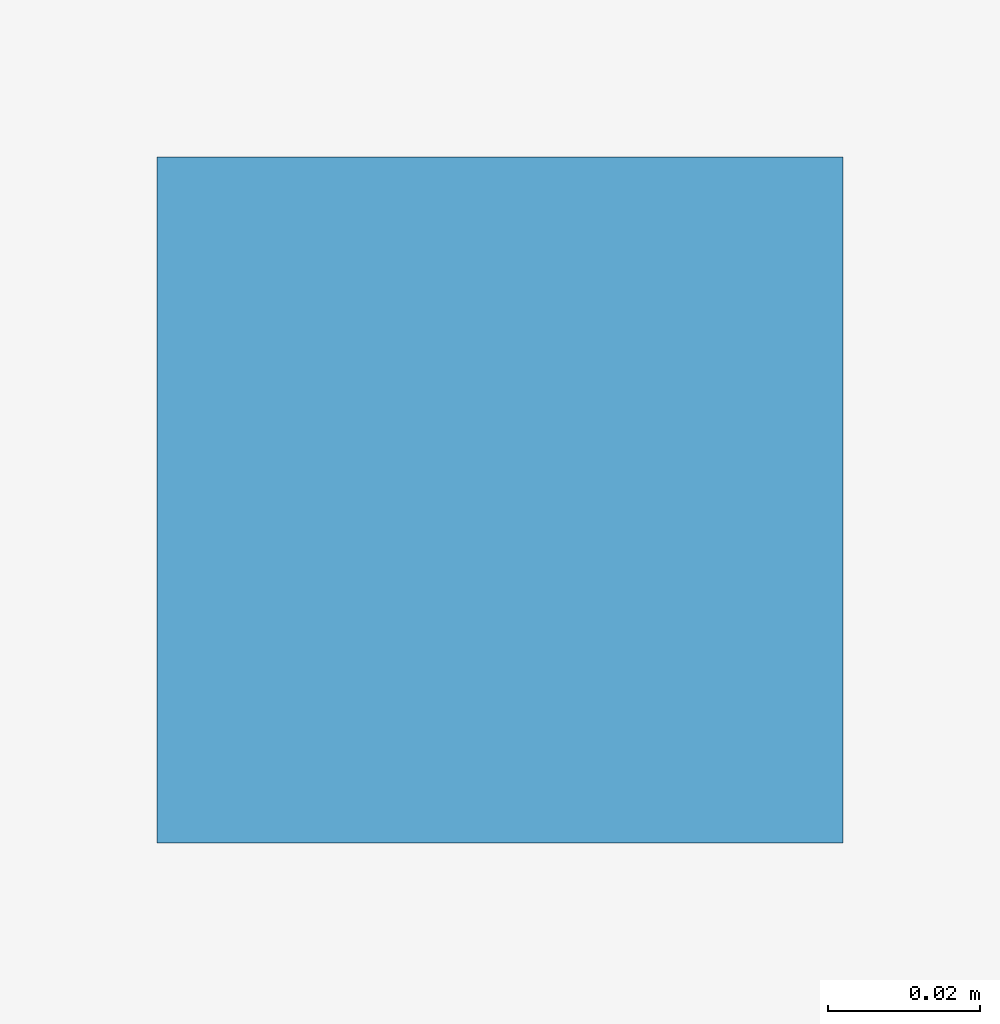
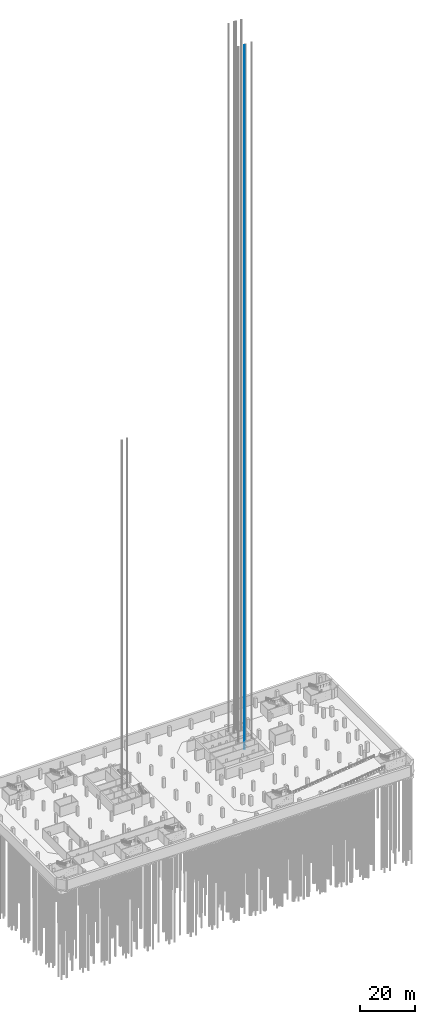
# One storey, part 9 of 30: 1 member.
"""IFC4 building model written with IfcOpenShell, lengths in metres."""

from ifc_helpers import new_model, si_unit, direction, frame, origin, origin_2d, place, context, subcontext, project, spatial, rectangle, extrude, material, material_profile, profile_set, type_object, element, save


model = new_model("IFC4")

# Units and contexts
model_context = context("Model", 3, precision=1e-05, world=origin(), true_north=direction((0.0, 1.0)))
body_context = subcontext(model_context, "Body", "Model", "MODEL_VIEW")
ifc_project = project(units=[si_unit("LENGTHUNIT", "METRE"), si_unit("AREAUNIT", "SQUARE_METRE"), si_unit("VOLUMEUNIT", "CUBIC_METRE"), si_unit("PLANEANGLEUNIT", "RADIAN"), si_unit("MASSUNIT", "GRAM", prefix="KILO")], contexts=[model_context])

# Site, building, storey
site_placement = place(None, origin())
site = spatial("IfcSite", under=ifc_project, at=site_placement, CompositionType="ELEMENT")
building_placement = place(site_placement, origin())
building = spatial("IfcBuilding", under=site, at=building_placement, Name="Cinnabar Reach Civic Tower", CompositionType="ELEMENT")
storey_placement = place(building_placement, frame((0.0, 0.0, -14.0)))
storey = spatial("IfcBuildingStorey", under=building, at=storey_placement, Name="B3", CompositionType="ELEMENT", Elevation=-14.0)

# Member
ifc_material = material(Name="Steel Q355B", Category="steel")
ifc_material_profile = material_profile(ifc_material, rectangle(XDim=0.09, YDim=0.09, at=origin_2d()), Name="T1 lift guide rail")
ifc_profile_set = profile_set([ifc_material_profile], Name="Steel Q355B")
member_type = type_object("IfcMemberType", Name="T1 lift guide rail", PredefinedType="USERDEFINED", material=ifc_profile_set)
member_placement = place(storey_placement, frame((19.28, 33.0, 0.0), z_axis=(0.0, 0.0, 1.0), x_axis=(1.0, 0.0, 0.0)))
element("IfcMember", 1, at=member_placement, inside=storey, type_object=member_type, Name="T1-SV1 guide rail 2", ObjectType="GUIDE RAIL", PredefinedType="USERDEFINED", context=body_context, shape_type="SweptSolid", body=[
    extrude(rectangle(XDim=0.09, YDim=0.09, at=origin_2d()), origin(), (0.0, 0.0, 1.0), 311.05),
])

save(model, "model.ifc")
